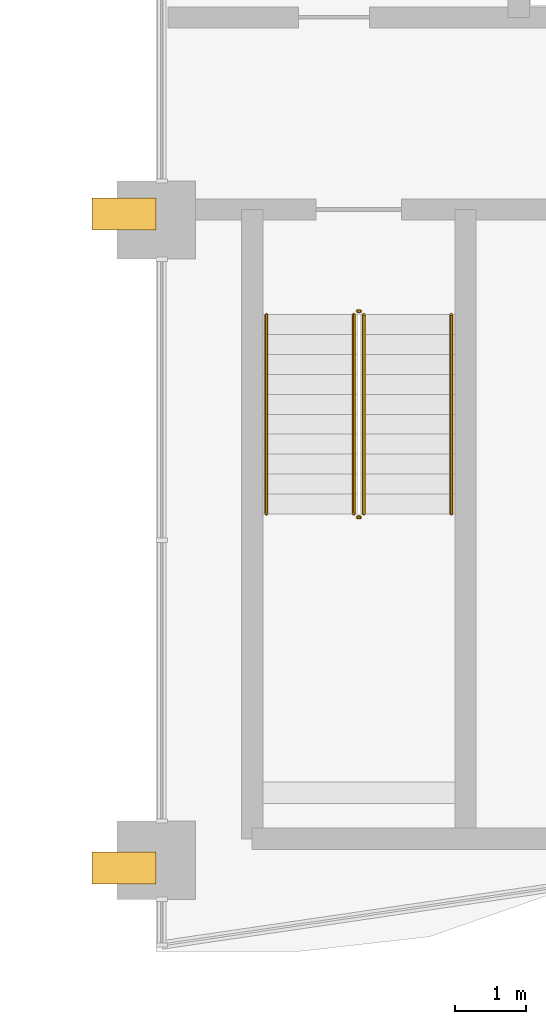
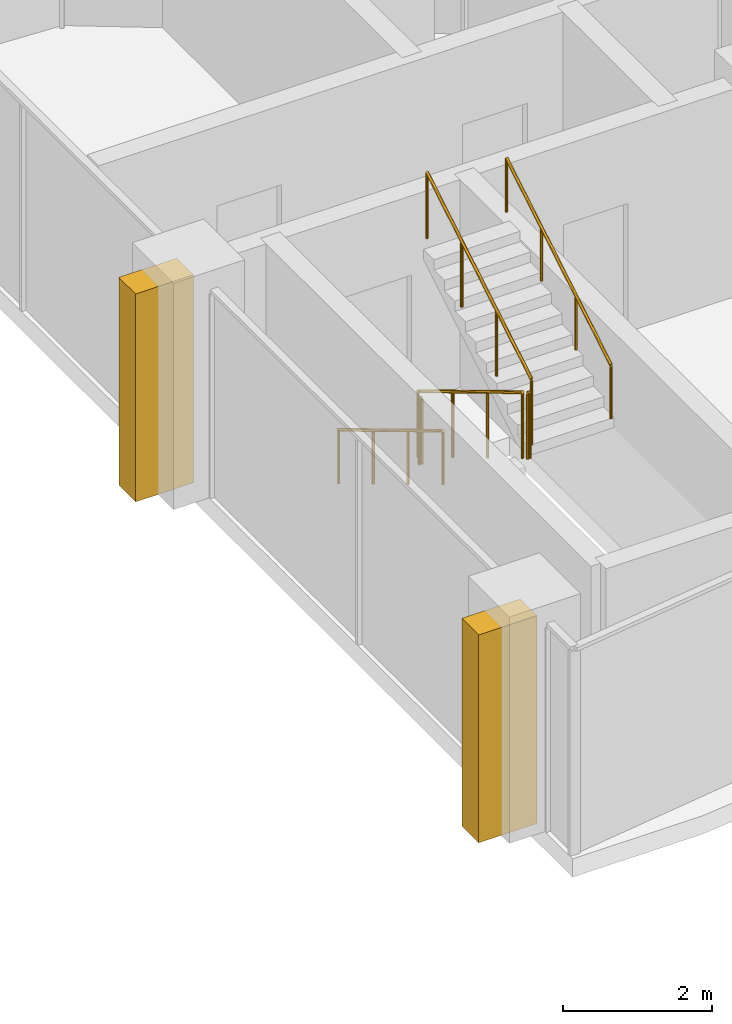
# One storey, part 21 of 23: 6 railings, 2 coverings.
"""IFC4 building model written with IfcOpenShell, lengths in metres."""

from ifc_helpers import new_model, si_unit, direction, frame, origin, origin_2d, place, context, subcontext, project, spatial, rectangle, circle, extrude, material, layer, layer_set, type_object, element, save


model = new_model("IFC4")

# Units and contexts
model_context = context("Model", 3, precision=1e-05, world=origin(), true_north=direction((0.0, 1.0)))
body_context = subcontext(model_context, "Body", "Model", "MODEL_VIEW")
ifc_project = project(units=[si_unit("LENGTHUNIT", "METRE"), si_unit("AREAUNIT", "SQUARE_METRE"), si_unit("VOLUMEUNIT", "CUBIC_METRE"), si_unit("PLANEANGLEUNIT", "RADIAN"), si_unit("MASSUNIT", "GRAM", prefix="KILO")], contexts=[model_context])

# Site, building, storey
site_placement = place(None, origin())
site = spatial("IfcSite", under=ifc_project, at=site_placement, CompositionType="ELEMENT")
building_placement = place(site_placement, origin())
building = spatial("IfcBuilding", under=site, at=building_placement, Name="Ogive Portal Towers", CompositionType="ELEMENT")
storey_placement = place(building_placement, frame((0.0, 0.0, 164.39990234375)))
storey = spatial("IfcBuildingStorey", under=building, at=storey_placement, Name="L40", CompositionType="ELEMENT", Elevation=164.39990234375)

# Coverings
ifc_material_1 = material(Name="Limestone cladding on lightweight block wall", Category="masonry")
ifc_layer = layer(ifc_material_1, 0.449951171875)
ifc_layer_set = layer_set([ifc_layer], Name="BUTTRESS PIER STONE")
covering_type = type_object("IfcCoveringType", Name="BUTTRESS PIER STONE", PredefinedType="CLADDING", material=ifc_layer_set)
for number, where, z_axis, x_axis, name in (
    (1, (85.050048828125, 30.58447265625, 0.000244140625), (0.0, 0.0, 1.0), (1.0, 0.0, 0.0), "Buttress pier A2-F01.1"),
    (2, (85.050048828125, 21.39208984375, 0.000244140625), (0.0, 0.0, 1.0), (1.0, 0.0, 0.0), "Buttress pier A2-F01.3"),
):
    element("IfcCovering", number, at=place(storey_placement, frame(where, z_axis=z_axis, x_axis=x_axis)), inside=storey, type_object=covering_type, Name=name, PredefinedType="CLADDING", context=body_context, shape_type="SweptSolid", body=[
        extrude(rectangle(XDim=0.89990234375, YDim=0.449951171875, at=origin_2d()), origin(), (0.0, 0.0, 1.0), 3.39990234375),
    ])

# Railings
ifc_material_2 = material(Name="Stainless steel balustrade", Category="steel")
railing_type_1 = type_object("IfcRailingType", Name="INT-GUARD", PredefinedType="GUARDRAIL", material=ifc_material_2)
railing_1_placement = place(storey_placement, frame((88.280029296875, 29.169921875, 0.168212890625)))
element("IfcRailing", 3, at=railing_1_placement, inside=storey, type_object=railing_type_1, Name="L40 ST-A4 stair guard 1", PredefinedType="GUARDRAIL", context=body_context, shape_type="SweptSolid", body=[
    extrude(circle(Radius=0.02392578125, at=origin_2d()), frame((0.0, 0.0, 1.076171875), z_axis=(0.0, -0.857222391501, 0.514946377315), x_axis=(1.0, 0.0, 0.0)), (0.0, 0.0, 1.0), 3.26611328125),
    extrude(circle(Radius=0.02099609375, at=origin_2d()), origin(), (0.0, 0.0, 1.0), 1.052001953125),
    extrude(circle(Radius=0.02099609375, at=origin_2d()), frame((0.0, -0.933349609375, 0.560546875)), (0.0, 0.0, 1.0), 1.052001953125),
    extrude(circle(Radius=0.02099609375, at=origin_2d()), frame((0.0, -1.866455078125, 1.121337890625)), (0.0, 0.0, 1.0), 1.052001953125),
    extrude(circle(Radius=0.02099609375, at=origin_2d()), frame((0.0, -2.7998046875, 1.681884765625)), (0.0, 0.0, 1.0), 1.052001953125),
])
railing_2_placement = place(storey_placement, frame((88.330078125, 26.320068359375, 1.85009765625)))
element("IfcRailing", 4, at=railing_2_placement, inside=storey, type_object=railing_type_1, Name="L40 ST-A4 stair guard 2", PredefinedType="GUARDRAIL", context=body_context, shape_type="SweptSolid", body=[
    extrude(circle(Radius=0.02392578125, at=origin_2d()), frame((0.0, 0.0, 1.076171875), z_axis=(1.0, 0.0, 0.0), x_axis=(0.0, 1.0, 0.0)), (0.0, 0.0, 1.0), 0.0400390625),
    extrude(circle(Radius=0.02099609375, at=origin_2d()), origin(), (0.0, 0.0, 1.0), 1.052001953125),
    extrude(circle(Radius=0.02099609375, at=origin_2d()), frame((0.0400390625, 0.0, 0.0)), (0.0, 0.0, 1.0), 1.052001953125),
])
railing_3_placement = place(storey_placement, frame((88.419921875, 26.3701171875, 2.018310546875)))
element("IfcRailing", 5, at=railing_3_placement, inside=storey, type_object=railing_type_1, Name="L40 ST-A4 stair guard 3", PredefinedType="GUARDRAIL", context=body_context, shape_type="SweptSolid", body=[
    extrude(circle(Radius=0.02392578125, at=origin_2d()), frame((0.0, 0.0, 1.076171875), z_axis=(0.0, 0.857222391501, 0.514946377315), x_axis=(-1.0, 0.0, 0.0)), (0.0, 0.0, 1.0), 3.26611328125),
    extrude(circle(Radius=0.02099609375, at=origin_2d()), origin(), (0.0, 0.0, 1.0), 1.052001953125),
    extrude(circle(Radius=0.02099609375, at=origin_2d()), frame((0.0, 0.933349609375, 0.560546875)), (0.0, 0.0, 1.0), 1.052001953125),
    extrude(circle(Radius=0.02099609375, at=origin_2d()), frame((0.0, 1.866455078125, 1.121337890625)), (0.0, 0.0, 1.0), 1.052001953125),
    extrude(circle(Radius=0.02099609375, at=origin_2d()), frame((0.0, 2.7998046875, 1.681884765625)), (0.0, 0.0, 1.0), 1.052001953125),
])
railing_4_placement = place(storey_placement, frame((88.330078125, 29.219970703125, 0.0)))
element("IfcRailing", 6, at=railing_4_placement, inside=storey, type_object=railing_type_1, Name="L40 ST-A4 stair guard 4", PredefinedType="GUARDRAIL", context=body_context, shape_type="SweptSolid", body=[
    extrude(circle(Radius=0.02392578125, at=origin_2d()), frame((0.0, 0.0, 1.076171875), z_axis=(1.0, 0.0, 0.0), x_axis=(0.0, 1.0, 0.0)), (0.0, 0.0, 1.0), 0.0400390625),
    extrude(circle(Radius=0.02099609375, at=origin_2d()), origin(), (0.0, 0.0, 1.0), 1.052001953125),
    extrude(circle(Radius=0.02099609375, at=origin_2d()), frame((0.0400390625, 0.0, 0.0)), (0.0, 0.0, 1.0), 1.052001953125),
])
ifc_material_3 = material(Name="Stainless steel handrail", Category="steel")
railing_type_2 = type_object("IfcRailingType", Name="INT-HANDRAIL", PredefinedType="HANDRAIL", material=ifc_material_3)
railing_5_placement = place(storey_placement, frame((87.050048828125, 29.169921875, 0.168212890625)))
element("IfcRailing", 7, at=railing_5_placement, inside=storey, type_object=railing_type_2, Name="L40 ST-A4 stair handrail 1", PredefinedType="HANDRAIL", context=body_context, shape_type="SweptSolid", body=[
    extrude(circle(Radius=0.02392578125, at=origin_2d()), frame((0.0, 0.0, 0.8759765625), z_axis=(0.0, -0.857222391501, 0.514946377315), x_axis=(1.0, 0.0, 0.0)), (0.0, 0.0, 1.0), 3.26611328125),
    extrude(circle(Radius=0.02099609375, at=origin_2d()), origin(), (0.0, 0.0, 1.0), 0.851806640625),
    extrude(circle(Radius=0.02099609375, at=origin_2d()), frame((0.0, -0.933349609375, 0.560546875)), (0.0, 0.0, 1.0), 0.851806640625),
    extrude(circle(Radius=0.02099609375, at=origin_2d()), frame((0.0, -1.866455078125, 1.121337890625)), (0.0, 0.0, 1.0), 0.851806640625),
    extrude(circle(Radius=0.02099609375, at=origin_2d()), frame((0.0, -2.7998046875, 1.681884765625)), (0.0, 0.0, 1.0), 0.851806640625),
])
railing_6_placement = place(storey_placement, frame((89.64990234375, 26.3701171875, 2.018310546875)))
element("IfcRailing", 8, at=railing_6_placement, inside=storey, type_object=railing_type_2, Name="L40 ST-A4 stair handrail 2", PredefinedType="HANDRAIL", context=body_context, shape_type="SweptSolid", body=[
    extrude(circle(Radius=0.02392578125, at=origin_2d()), frame((0.0, 0.0, 0.8759765625), z_axis=(0.0, 0.857222391501, 0.514946377315), x_axis=(-1.0, 0.0, 0.0)), (0.0, 0.0, 1.0), 3.26611328125),
    extrude(circle(Radius=0.02099609375, at=origin_2d()), origin(), (0.0, 0.0, 1.0), 0.851806640625),
    extrude(circle(Radius=0.02099609375, at=origin_2d()), frame((0.0, 0.933349609375, 0.560546875)), (0.0, 0.0, 1.0), 0.851806640625),
    extrude(circle(Radius=0.02099609375, at=origin_2d()), frame((0.0, 1.866455078125, 1.121337890625)), (0.0, 0.0, 1.0), 0.851806640625),
    extrude(circle(Radius=0.02099609375, at=origin_2d()), frame((0.0, 2.7998046875, 1.681884765625)), (0.0, 0.0, 1.0), 0.851806640625),
])

save(model, "model.ifc")
